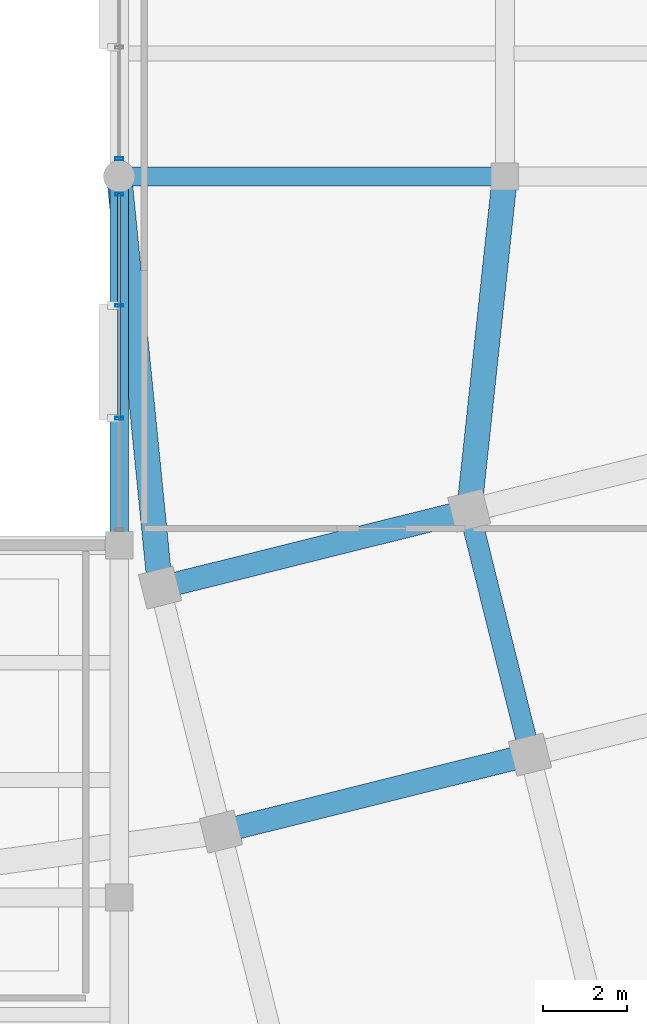
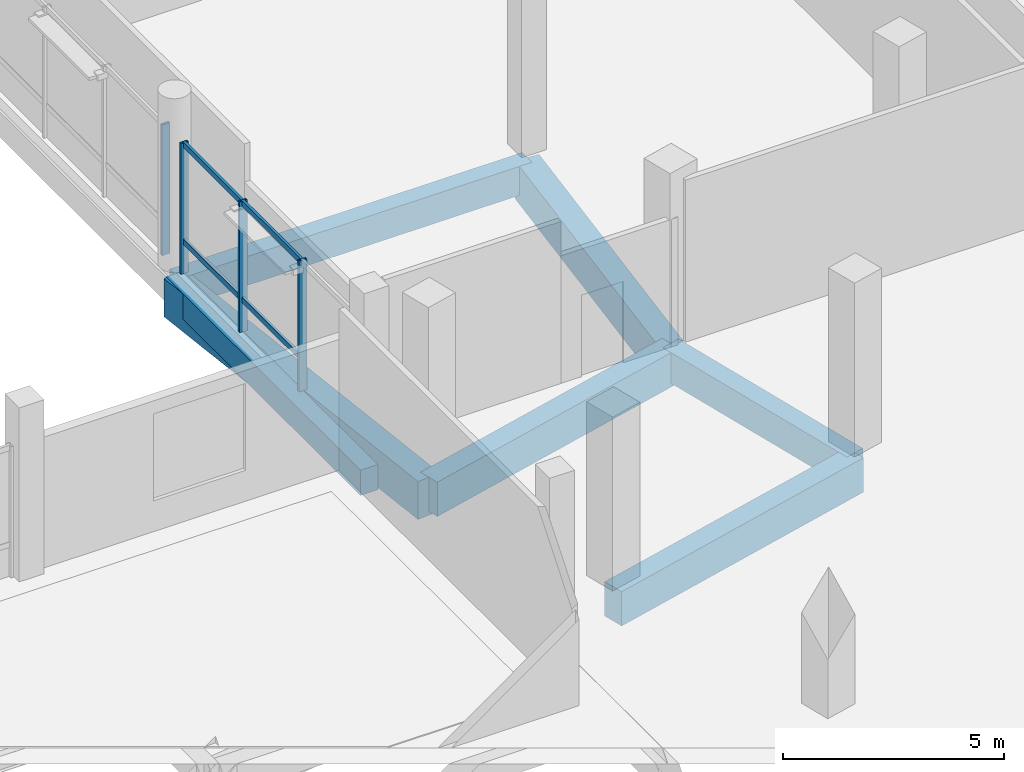
# One storey, part 30 of 71: 8 members, 7 beams, 2 elements without a shape of their own.
"""IFC4 building model written with IfcOpenShell, lengths in metres."""

from ifc_helpers import new_model, si_unit, direction, frame, origin, origin_2d, place, context, subcontext, project, spatial, rectangle, hollow_rectangle, extrude, material, layer, layer_set, material_profile, profile_set, type_object, element, aggregate, save


model = new_model("IFC4")

# Units and contexts
model_context = context("Model", 3, precision=1e-05, world=origin(), true_north=direction((0.0, 1.0)))
body_context = subcontext(model_context, "Body", "Model", "MODEL_VIEW")
ifc_project = project(units=[si_unit("LENGTHUNIT", "METRE"), si_unit("AREAUNIT", "SQUARE_METRE"), si_unit("VOLUMEUNIT", "CUBIC_METRE"), si_unit("PLANEANGLEUNIT", "RADIAN"), si_unit("MASSUNIT", "GRAM", prefix="KILO")], contexts=[model_context])

# Site, building, storey
site_placement = place(None, origin())
site = spatial("IfcSite", under=ifc_project, at=site_placement, CompositionType="ELEMENT")
building_placement = place(site_placement, origin())
building = spatial("IfcBuilding", under=site, at=building_placement, Name="Meriwether Solvik Hall", CompositionType="ELEMENT")
storey_placement = place(building_placement, frame((0.0, 0.0, 5.10009765625)))
storey = spatial("IfcBuildingStorey", under=building, at=storey_placement, Name="L01", CompositionType="ELEMENT", Elevation=5.10009765625)

# Beams
ifc_material_1 = material(Name="Concrete C40/50", Category="concrete")
ifc_material_profile_1 = material_profile(ifc_material_1, rectangle(XDim=0.449951171875, YDim=0.699951171875, at=origin_2d()), Name="RCB-450X700")
ifc_profile_set_1 = profile_set([ifc_material_profile_1], Name="Concrete C40/50")
beam_type_1 = type_object("IfcBeamType", Name="BM-RC-450X700", PredefinedType="BEAM", material=ifc_profile_set_1)
beam_1_placement = place(storey_placement, frame((59.39990234375, 75.199951171875, -0.650146484375), z_axis=(0.0, 1.0, 0.0), x_axis=(-1.0, 0.0, 0.0)))
element("IfcBeam", 1, at=beam_1_placement, inside=storey, type_object=beam_type_1, Name="Podium Girder 7:I-J (L01)", PredefinedType="BEAM", context=body_context, shape_type="SweptSolid", body=[
    extrude(rectangle(XDim=0.449951171875, YDim=0.699951171875, at=origin_2d()), origin(), (0.0, 0.0, 1.0), 8.800048828125),
])
ifc_material_2 = material(Name="Concrete C40/50", Category="concrete")
ifc_material_profile_2 = material_profile(ifc_material_2, rectangle(XDim=0.449951171875, YDim=0.800048828125, at=origin_2d()), Name="RCB-450X800")
ifc_profile_set_2 = profile_set([ifc_material_profile_2], Name="Concrete C40/50")
beam_type_2 = type_object("IfcBeamType", Name="BM-RC-450X800", PredefinedType="BEAM", material=ifc_profile_set_2)
beam_2_placement = place(storey_placement, frame((59.39990234375, 84.0, -0.7001953125), z_axis=(1.0, 0.0, 0.0), x_axis=(0.0, 1.0, 0.0)))
element("IfcBeam", 2, at=beam_2_placement, inside=storey, type_object=beam_type_2, Name="Podium Girder J:7-8 (L01)", PredefinedType="BEAM", context=body_context, shape_type="SweptSolid", body=[
    extrude(rectangle(XDim=0.449951171875, YDim=0.800048828125, at=origin_2d()), origin(), (0.0, 0.0, 1.0), 9.2001953125),
])
ifc_material_3 = material(Name="Concrete C40/50", Category="concrete")
ifc_material_profile_3 = material_profile(ifc_material_3, rectangle(XDim=0.5, YDim=0.85009765625, at=origin_2d()), Name="RCB-500X850")
ifc_profile_set_3 = profile_set([ifc_material_profile_3], Name="Concrete C40/50")
beam_type_3 = type_object("IfcBeamType", Name="BM-RC-500X850", PredefinedType="BEAM", material=ifc_profile_set_3)
beam_3_placement = place(storey_placement, frame((69.200439453125, 70.206787109375, -0.72509765625), z_axis=(-0.241903677572, 0.970300268359, 0.0), x_axis=(-0.970300268359, -0.241903677572, 0.0)))
element("IfcBeam", 3, at=beam_3_placement, inside=storey, type_object=beam_type_3, Name="Tower Girder T2:TE-TF (L01)", PredefinedType="BEAM", context=body_context, shape_type="SweptSolid", body=[
    extrude(rectangle(XDim=0.5, YDim=0.85009765625, at=origin_2d()), origin(), (0.0, 0.0, 1.0), 6.0),
])
ifc_material_4 = material(Name="Concrete C40/50", Category="concrete")
ifc_material_profile_4 = material_profile(ifc_material_4, rectangle(XDim=0.550048828125, YDim=0.949951171875, at=origin_2d()), Name="RCB-550X950")
ifc_profile_set_4 = profile_set([ifc_material_profile_4], Name="Concrete C40/50")
beam_type_4 = type_object("IfcBeamType", Name="BM-RC-550X950", PredefinedType="BEAM", material=ifc_profile_set_4)
for number, where, z_axis, x_axis, name in (
    (4, (61.826171875, 68.3681640625, -0.775146484375), (0.970295366785, 0.241923337436, 0.0), (-0.241923337436, 0.970295366785, 0.0), "Tower Girder TE:T1-T2 (L01)"),
    (5, (60.374755859375, 74.18994140625, -0.775146484375), (0.970295366785, 0.241923337436, 0.0), (-0.241923337436, 0.970295366785, 0.0), "Tower Girder TF:T1-T2 (L01)"),
):
    element("IfcBeam", number, at=place(storey_placement, frame(where, z_axis=z_axis, x_axis=x_axis)), inside=storey, type_object=beam_type_4, Name=name, PredefinedType="BEAM", context=body_context, shape_type="SweptSolid", body=[
        extrude(rectangle(XDim=0.550048828125, YDim=0.949951171875, at=origin_2d()), origin(), (0.0, 0.0, 1.0), 7.60009765625),
    ])
ifc_material_5 = material(Name="Concrete C40/50", Category="concrete")
ifc_material_profile_5 = material_profile(ifc_material_5, rectangle(XDim=0.60009765625, YDim=1.050048828125, at=origin_2d()), Name="RCB-600X1050")
ifc_profile_set_5 = profile_set([ifc_material_profile_5], Name="Concrete C40/50")
beam_type_5 = type_object("IfcBeamType", Name="BM-RC-600X1050", PredefinedType="BEAM", material=ifc_profile_set_5)
beam_4_placement = place(storey_placement, frame((60.374755859375, 74.18994140625, -0.8251953125), z_axis=(-0.098885806068, 0.995098787738, 0.0), x_axis=(-0.995098787738, -0.098885806068, 0.0)))
element("IfcBeam", 6, at=beam_4_placement, inside=storey, type_object=beam_type_5, Name="Diaphragm Collector Girder T1/TF-7/J (L01)", PredefinedType="BEAM", context=body_context, shape_type="SweptSolid", body=[
    extrude(rectangle(XDim=0.60009765625, YDim=1.050048828125, at=origin_2d()), origin(), (0.0, 0.0, 1.0), 9.8583984375),
])
beam_5_placement = place(storey_placement, frame((67.7490234375, 76.028564453125, -0.8251953125), z_axis=(0.106162139873, 0.99434883218, 0.0), x_axis=(-0.99434883218, 0.106162139873, 0.0)))
element("IfcBeam", 7, at=beam_5_placement, inside=storey, type_object=beam_type_5, Name="Diaphragm Collector Girder T2/TF-8/J (L01)", PredefinedType="BEAM", context=body_context, shape_type="SweptSolid", body=[
    extrude(rectangle(XDim=0.60009765625, YDim=1.050048828125, at=origin_2d()), origin(), (0.0, 0.0, 1.0), 8.016845703125),
])

# Curtain wall, members
ifc_material_6 = material(Name="Thermally Broken Anodised Aluminium 6063-T6 and Low-E Glass", Category="aluminium")
ifc_layer = layer(ifc_material_6, 0.179931640625)
ifc_layer_set = layer_set([ifc_layer], Name="Thermally Broken Anodised Aluminium 6063-T6 and Low-E Glass")
curtain_wall_type = type_object("IfcCurtainWallType", Name="CW-SF-POD-B", PredefinedType="USERDEFINED", material=ifc_layer_set)
curtain_wall_1_placement = place(storey_placement, origin())
curtain_wall_1 = element("IfcCurtainWall", 8, at=curtain_wall_1_placement, inside=storey, type_object=curtain_wall_type, Name="Curtain Wall wing_Y7_9_44 (L01)", ObjectType="STICK STOREFRONT GLAZING", PredefinedType="USERDEFINED")
ifc_material_7 = material(Name="Anodised Aluminium 6063-T6", Category="aluminium")
ifc_material_profile_6 = material_profile(ifc_material_7, hollow_rectangle(XDim=0.070068359375, YDim=0.199951171875, WallThickness=0.0048828125, at=origin_2d()), Name="CWM-70X200")
ifc_profile_set_6 = profile_set([ifc_material_profile_6], Name="Anodised Aluminium 6063-T6")
member_type_1 = type_object("IfcMemberType", Name="CW-MUL-70X200", PredefinedType="MULLION", material=ifc_profile_set_6)
member_1_placement = place(storey_placement, frame((59.39990234375, 78.22900390625, 0.0), z_axis=(0.0, 0.0, 1.0), x_axis=(0.0, 1.0, 0.0)))
member_1 = element("IfcMember", 9, at=member_1_placement, type_object=member_type_1, Name="Curtain Wall Mullion 2", PredefinedType="MULLION", context=body_context, shape_type="SweptSolid", body=[
    extrude(hollow_rectangle(XDim=0.070068359375, YDim=0.199951171875, WallThickness=0.0048828125, at=origin_2d()), origin(), (0.0, 0.0, 1.0), 3.60986328125),
])
member_2_placement = place(storey_placement, frame((59.39990234375, 80.9208984375, 0.0), z_axis=(0.0, 0.0, 1.0), x_axis=(0.0, 1.0, 0.0)))
member_2 = element("IfcMember", 10, at=member_2_placement, type_object=member_type_1, Name="Curtain Wall Mullion 3", PredefinedType="MULLION", context=body_context, shape_type="SweptSolid", body=[
    extrude(hollow_rectangle(XDim=0.070068359375, YDim=0.199951171875, WallThickness=0.0048828125, at=origin_2d()), origin(), (0.0, 0.0, 1.0), 3.60986328125),
])
member_3_placement = place(storey_placement, frame((59.39990234375, 83.574951171875, 0.0), z_axis=(0.0, 0.0, 1.0), x_axis=(0.0, 1.0, 0.0)))
member_3 = element("IfcMember", 11, at=member_3_placement, type_object=member_type_1, Name="Curtain Wall Mullion 4", PredefinedType="MULLION", context=body_context, shape_type="SweptSolid", body=[
    extrude(hollow_rectangle(XDim=0.070068359375, YDim=0.199951171875, WallThickness=0.0048828125, at=origin_2d()), origin(), (0.0, 0.0, 1.0), 3.60986328125),
])

# Curtain wall, member
curtain_wall_2_placement = place(storey_placement, origin())
curtain_wall_2 = element("IfcCurtainWall", 12, at=curtain_wall_2_placement, inside=storey, type_object=curtain_wall_type, Name="Curtain Wall wing_Y7_10_45 (L01)", ObjectType="STICK STOREFRONT GLAZING", PredefinedType="USERDEFINED")
member_4_placement = place(storey_placement, frame((59.39990234375, 84.425048828125, 0.0), z_axis=(0.0, 0.0, 1.0), x_axis=(0.0, 1.0, 0.0)))
member_4 = element("IfcMember", 13, at=member_4_placement, type_object=member_type_1, Name="Curtain Wall Mullion 1", PredefinedType="MULLION", context=body_context, shape_type="SweptSolid", body=[
    extrude(hollow_rectangle(XDim=0.070068359375, YDim=0.199951171875, WallThickness=0.0048828125, at=origin_2d()), origin(), (0.0, 0.0, 1.0), 3.60986328125),
])
aggregate(curtain_wall_2, [member_4])

# Member
ifc_material_8 = material(Name="Anodised Aluminium 6063-T6", Category="aluminium")
ifc_material_profile_7 = material_profile(ifc_material_8, hollow_rectangle(XDim=0.070068359375, YDim=0.14990234375, WallThickness=0.0048828125, at=origin_2d()), Name="CWT-70X150")
ifc_profile_set_7 = profile_set([ifc_material_profile_7], Name="Anodised Aluminium 6063-T6")
member_type_2 = type_object("IfcMemberType", Name="CW-TRN-70X150", PredefinedType="USERDEFINED", material=ifc_profile_set_7)
member_5_placement = place(storey_placement, frame((59.39990234375, 78.22900390625, 0.8798828125), z_axis=(0.0, 1.0, 0.0), x_axis=(-1.0, 0.0, 0.0)))
member_5 = element("IfcMember", 14, at=member_5_placement, type_object=member_type_2, Name="Curtain Wall Transom 2-sill", ObjectType="TRANSOM", PredefinedType="USERDEFINED", context=body_context, shape_type="SweptSolid", body=[
    extrude(hollow_rectangle(XDim=0.070068359375, YDim=0.14990234375, WallThickness=0.0048828125, at=origin_2d()), origin(), (0.0, 0.0, 1.0), 2.69189453125),
])

member_6_placement = place(storey_placement, frame((59.39990234375, 78.22900390625, 3.5498046875), z_axis=(0.0, 1.0, 0.0), x_axis=(-1.0, 0.0, 0.0)))
member_6 = element("IfcMember", 15, at=member_6_placement, type_object=member_type_2, Name="Curtain Wall Transom 2-head", ObjectType="TRANSOM", PredefinedType="USERDEFINED", context=body_context, shape_type="SweptSolid", body=[
    extrude(hollow_rectangle(XDim=0.070068359375, YDim=0.14990234375, WallThickness=0.0048828125, at=origin_2d()), origin(), (0.0, 0.0, 1.0), 2.69189453125),
])

member_7_placement = place(storey_placement, frame((59.39990234375, 80.9208984375, 0.8798828125), z_axis=(0.0, 1.0, 0.0), x_axis=(-1.0, 0.0, 0.0)))
member_7 = element("IfcMember", 16, at=member_7_placement, type_object=member_type_2, Name="Curtain Wall Transom 3-sill", ObjectType="TRANSOM", PredefinedType="USERDEFINED", context=body_context, shape_type="SweptSolid", body=[
    extrude(hollow_rectangle(XDim=0.070068359375, YDim=0.14990234375, WallThickness=0.0048828125, at=origin_2d()), origin(), (0.0, 0.0, 1.0), 2.654052734375),
])

member_8_placement = place(storey_placement, frame((59.39990234375, 80.9208984375, 3.5498046875), z_axis=(0.0, 1.0, 0.0), x_axis=(-1.0, 0.0, 0.0)))
member_8 = element("IfcMember", 17, at=member_8_placement, type_object=member_type_2, Name="Curtain Wall Transom 3-head", ObjectType="TRANSOM", PredefinedType="USERDEFINED", context=body_context, shape_type="SweptSolid", body=[
    extrude(hollow_rectangle(XDim=0.070068359375, YDim=0.14990234375, WallThickness=0.0048828125, at=origin_2d()), origin(), (0.0, 0.0, 1.0), 2.654052734375),
])

aggregate(curtain_wall_1, [member_1, member_2, member_3, member_5, member_6, member_7, member_8])

save(model, "model.ifc")
